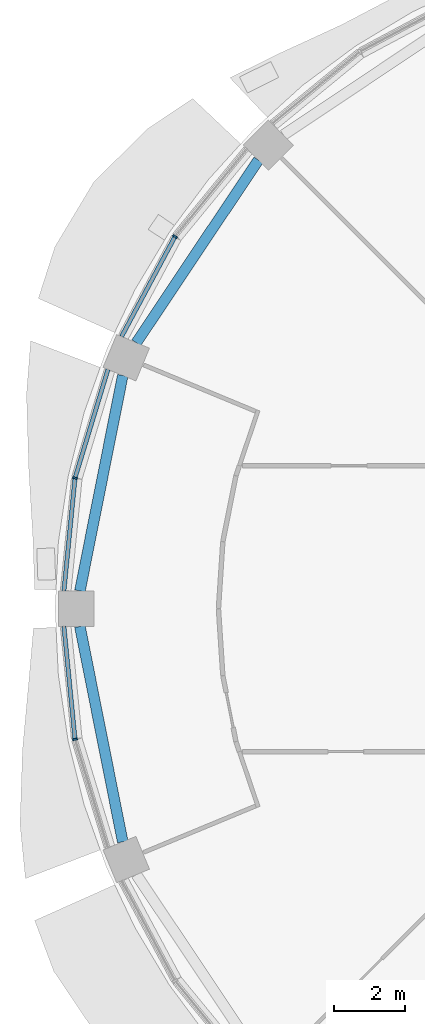
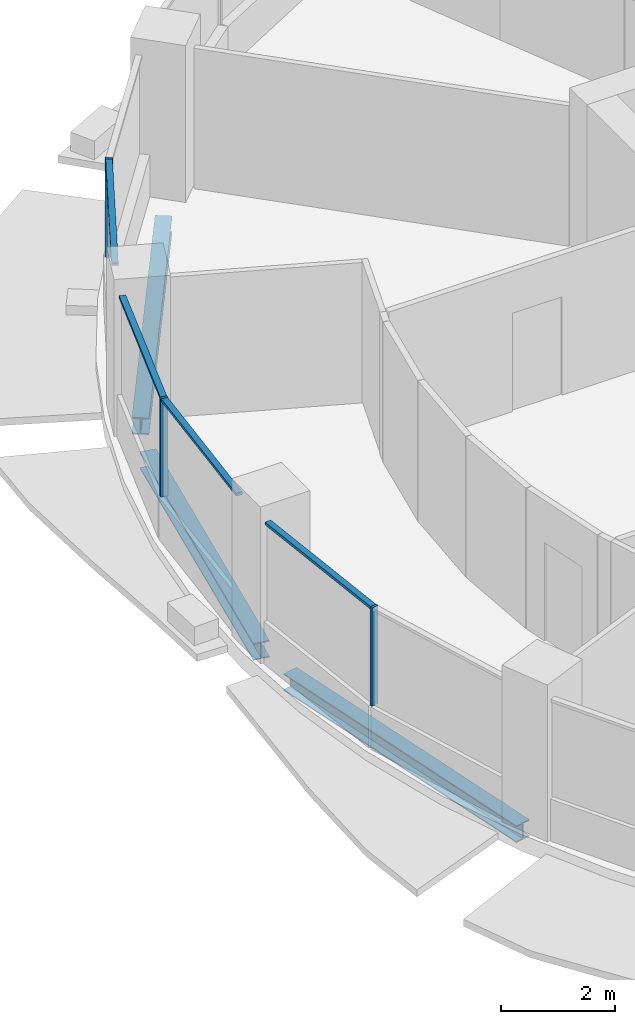
# One storey, part 4 of 15: 7 members, 3 beams, 3 elements without a shape of their own.
"""IFC4 building model written with IfcOpenShell, lengths in metres."""

from ifc_helpers import new_model, si_unit, direction, frame, origin, origin_2d, place, context, subcontext, project, spatial, rectangle, i_section, extrude, material, material_profile, profile_set, type_object, element, aggregate, save


model = new_model("IFC4")

# Units and contexts
model_context = context("Model", 3, precision=1e-05, world=origin(), true_north=direction((0.0, 1.0)))
body_context = subcontext(model_context, "Body", "Model", "MODEL_VIEW")
ifc_project = project(units=[si_unit("LENGTHUNIT", "METRE"), si_unit("AREAUNIT", "SQUARE_METRE"), si_unit("VOLUMEUNIT", "CUBIC_METRE"), si_unit("PLANEANGLEUNIT", "RADIAN"), si_unit("MASSUNIT", "GRAM", prefix="KILO")], contexts=[model_context])

# Site, building, storey
site_placement = place(None, origin())
site = spatial("IfcSite", under=ifc_project, at=site_placement, CompositionType="ELEMENT")
building_placement = place(site_placement, origin())
building = spatial("IfcBuilding", under=site, at=building_placement, Name="Polderwave Tower", CompositionType="ELEMENT")
storey_placement = place(building_placement, frame((0.0, 0.0, 120.949951171875)))
storey = spatial("IfcBuildingStorey", under=building, at=storey_placement, Name="L31", CompositionType="ELEMENT", Elevation=120.949951171875)

# Curtain wall, member
ifc_material_1 = material(Name="Aluminium 6063-T6 and glass", Category="aluminium")
curtain_wall_type = type_object("IfcCurtainWallType", Name="Office ribbon glazing wall", PredefinedType="NOTDEFINED", material=ifc_material_1)
curtain_wall_1_placement = place(storey_placement, origin())
curtain_wall_1 = element("IfcCurtainWall", 1, at=curtain_wall_1_placement, inside=storey, type_object=curtain_wall_type, Name="CW3 L31 06", PredefinedType="NOTDEFINED")
ifc_material_2 = material(Name="Aluminium 6063-T6", Category="aluminium")
ifc_material_profile_1 = material_profile(ifc_material_2, rectangle(XDim=0.139892578125, YDim=0.054931640625, at=origin_2d()), Name="AL 55x140")
ifc_profile_set_1 = profile_set([ifc_material_profile_1], Name="Aluminium 6063-T6")
member_type_1 = type_object("IfcMemberType", Name="Office ribbon glazing mullion 55x140", PredefinedType="MULLION", material=ifc_profile_set_1)
member_1_placement = place(storey_placement, frame((-15.681884765625, 10.47802734375, 0.900146484375), z_axis=(0.0, 0.0, 1.0), x_axis=(0.831453127836, -0.555594902975, 0.0)))
member_1 = element("IfcMember", 2, at=member_1_placement, type_object=member_type_1, Name="CW3 mullion 1", PredefinedType="MULLION", context=body_context, shape_type="SweptSolid", body=[
    extrude(rectangle(XDim=0.139892578125, YDim=0.054931640625, at=origin_2d()), origin(), (0.0, 0.0, 1.0), 2.099853515625),
])

curtain_wall_2_placement = place(storey_placement, origin())
curtain_wall_2 = element("IfcCurtainWall", 3, at=curtain_wall_2_placement, inside=storey, type_object=curtain_wall_type, Name="CW3 L31 07", PredefinedType="NOTDEFINED")
member_2_placement = place(storey_placement, frame((-18.498046875, 3.678955078125, 0.900146484375), z_axis=(0.0, 0.0, 1.0), x_axis=(0.98077778875, -0.195127981324, 0.0)))
member_2 = element("IfcMember", 4, at=member_2_placement, type_object=member_type_1, Name="CW3 mullion 1", PredefinedType="MULLION", context=body_context, shape_type="SweptSolid", body=[
    extrude(rectangle(XDim=0.139892578125, YDim=0.054931640625, at=origin_2d()), origin(), (0.0, 0.0, 1.0), 2.099853515625),
])

curtain_wall_3_placement = place(storey_placement, origin())
curtain_wall_3 = element("IfcCurtainWall", 5, at=curtain_wall_3_placement, inside=storey, type_object=curtain_wall_type, Name="CW3 L31 08", PredefinedType="NOTDEFINED")
member_3_placement = place(storey_placement, frame((-18.498046875, -3.678955078125, 0.900146484375), z_axis=(0.0, 0.0, 1.0), x_axis=(0.98077778875, 0.195127981324, 0.0)))
member_3 = element("IfcMember", 6, at=member_3_placement, type_object=member_type_1, Name="CW3 mullion 1", PredefinedType="MULLION", context=body_context, shape_type="SweptSolid", body=[
    extrude(rectangle(XDim=0.139892578125, YDim=0.054931640625, at=origin_2d()), origin(), (0.0, 0.0, 1.0), 2.099853515625),
])

# Member
ifc_material_profile_2 = material_profile(ifc_material_2, rectangle(XDim=0.1201171875, YDim=0.06005859375, at=origin_2d()), Name="AL 60x120")
ifc_profile_set_2 = profile_set([ifc_material_profile_2], Name="Aluminium 6063-T6")
member_type_2 = type_object("IfcMemberType", Name="Office ribbon glazing transom 60x120", PredefinedType="USERDEFINED", material=ifc_profile_set_2)
member_4_placement = place(storey_placement, frame((-15.695068359375, 10.45361328125, 2.969970703125), z_axis=(-0.471440336956, -0.881897958208, 0.0), x_axis=(0.881897958208, -0.471440336956, 0.0)))
member_4 = element("IfcMember", 7, at=member_4_placement, type_object=member_type_2, Name="CW3 transom 2", ObjectType="TRANSOM", PredefinedType="USERDEFINED", context=body_context, shape_type="SweptSolid", body=[
    extrude(rectangle(XDim=0.1201171875, YDim=0.06005859375, at=origin_2d()), origin(), (0.0, 0.0, 1.0), 3.166748046875),
])

aggregate(curtain_wall_1, [member_1, member_4])

member_5_placement = place(storey_placement, frame((-17.570068359375, 6.737060546875, 2.969970703125), z_axis=(-0.290358126892, -0.95691805195, 0.0), x_axis=(0.95691805195, -0.290358126892, 0.0)))
member_5 = element("IfcMember", 8, at=member_5_placement, type_object=member_type_2, Name="CW3 transom 1", ObjectType="TRANSOM", PredefinedType="USERDEFINED", context=body_context, shape_type="SweptSolid", body=[
    extrude(rectangle(XDim=0.1201171875, YDim=0.06005859375, at=origin_2d()), origin(), (0.0, 0.0, 1.0), 3.168212890625),
])

member_6_placement = place(storey_placement, frame((-18.500732421875, 3.651611328125, 2.969970703125), z_axis=(-0.09798465056, -0.9951879261, 0.0), x_axis=(0.9951879261, -0.09798465056, 0.0)))
member_6 = element("IfcMember", 9, at=member_6_placement, type_object=member_type_2, Name="CW3 transom 2", ObjectType="TRANSOM", PredefinedType="USERDEFINED", context=body_context, shape_type="SweptSolid", body=[
    extrude(rectangle(XDim=0.1201171875, YDim=0.06005859375, at=origin_2d()), origin(), (0.0, 0.0, 1.0), 3.166748046875),
])

aggregate(curtain_wall_2, [member_2, member_5, member_6])

member_7_placement = place(storey_placement, frame((-18.81103515625, -0.5, 2.969970703125), z_axis=(0.09798465056, -0.9951879261, 0.0), x_axis=(0.9951879261, 0.09798465056, 0.0)))
member_7 = element("IfcMember", 10, at=member_7_placement, type_object=member_type_2, Name="CW3 transom 1", ObjectType="TRANSOM", PredefinedType="USERDEFINED", context=body_context, shape_type="SweptSolid", body=[
    extrude(rectangle(XDim=0.1201171875, YDim=0.06005859375, at=origin_2d()), origin(), (0.0, 0.0, 1.0), 3.166748046875),
])

aggregate(curtain_wall_3, [member_3, member_7])

# Beams
ifc_material_3 = material(Name="Steel S355", Category="steel")
ifc_material_profile_3 = material_profile(ifc_material_3, i_section(OverallWidth=0.300048828125, OverallDepth=0.360107421875, WebThickness=0.012451171875, FlangeThickness=0.0224609375, at=origin_2d()), Name="HE 360 B")
ifc_profile_set_3 = profile_set([ifc_material_profile_3], Name="Steel S355")
beam_type = type_object("IfcBeamType", Name="RING BEAM HE 360 B", PredefinedType="BEAM", material=ifc_profile_set_3)
beam_placement = place(storey_placement, frame((-13.33642578125, 12.62939453125, -0.530029296875), z_axis=(-0.555556426907, -0.831478837086, 0.0), x_axis=(0.831478837086, -0.555556426907, 0.0)))
element("IfcBeam", 11, at=beam_placement, inside=storey, type_object=beam_type, Name="ST-RB-L31-06", PredefinedType="BEAM", context=body_context, shape_type="SweptSolid", body=[
    extrude(i_section(OverallWidth=0.300048828125, OverallDepth=0.360107421875, WebThickness=0.012451171875, FlangeThickness=0.0224609375, at=origin_2d()), origin(), (0.0, 0.0, 1.0), 6.18310546875),
])
for number, where, z_axis, x_axis, name in (
    (12, (-17.154296875, 6.564453125, -0.530029296875), (-0.195090959886, -0.980785153523, 0.0), (0.980785153523, -0.195090959886, 0.0), "ST-RB-L31-07"),
    (13, (-18.360595703125, -0.5, -0.530029296875), (0.195090959886, -0.980785153523, 0.0), (0.980785153523, 0.195090959886, 0.0), "ST-RB-L31-08"),
):
    element("IfcBeam", number, at=place(storey_placement, frame(where, z_axis=z_axis, x_axis=x_axis)), inside=storey, type_object=beam_type, Name=name, PredefinedType="BEAM", context=body_context, shape_type="SweptSolid", body=[
        extrude(i_section(OverallWidth=0.300048828125, OverallDepth=0.360107421875, WebThickness=0.012451171875, FlangeThickness=0.0224609375, at=origin_2d()), origin(), (0.0, 0.0, 1.0), 6.183349609375),
    ])

save(model, "model.ifc")
